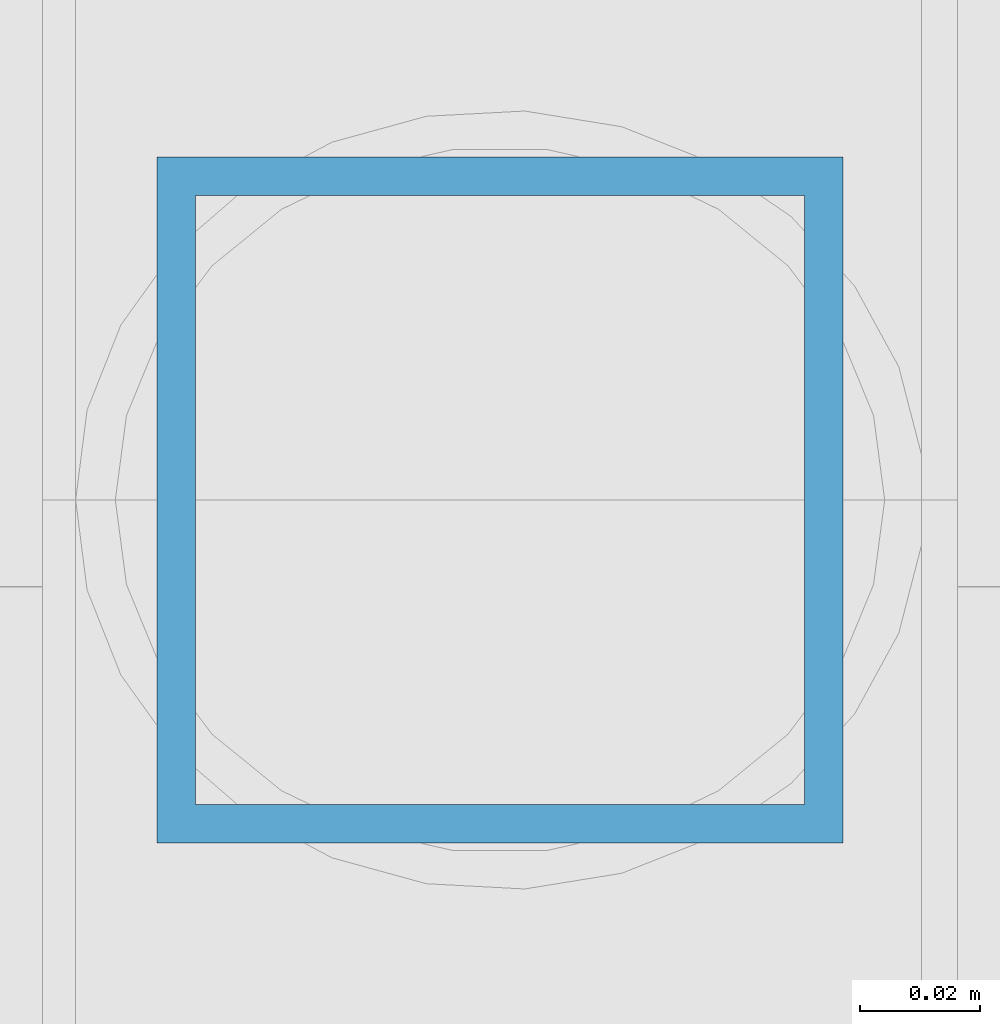
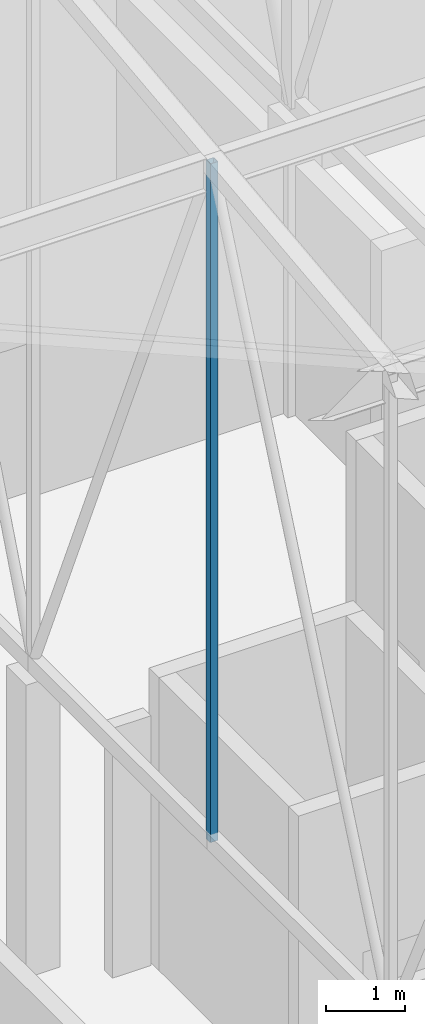
# One storey, part 26 of 500: 1 member.
"""IFC4 building model written with IfcOpenShell, lengths in metres."""

from ifc_helpers import new_model, si_unit, direction, frame, origin, origin_2d, place, context, subcontext, project, spatial, hollow_rectangle, extrude, material, material_profile, profile_set, type_object, element, save


model = new_model("IFC4")

# Units and contexts
model_context = context("Model", 3, precision=1e-05, world=origin(), true_north=direction((0.0, 1.0)))
body_context = subcontext(model_context, "Body", "Model", "MODEL_VIEW")
ifc_project = project(units=[si_unit("LENGTHUNIT", "METRE"), si_unit("AREAUNIT", "SQUARE_METRE"), si_unit("VOLUMEUNIT", "CUBIC_METRE"), si_unit("PLANEANGLEUNIT", "RADIAN"), si_unit("MASSUNIT", "GRAM", prefix="KILO")], contexts=[model_context])

# Site, building, storey
site_placement = place(None, origin())
site = spatial("IfcSite", under=ifc_project, at=site_placement, CompositionType="ELEMENT")
building_placement = place(site_placement, origin())
building = spatial("IfcBuilding", under=site, at=building_placement, Name="Shirokan Park Arena", CompositionType="ELEMENT")
storey_placement = place(building_placement, frame((0.0, 0.0, 29.1201171875)))
storey = spatial("IfcBuildingStorey", under=building, at=storey_placement, Name="L06", CompositionType="ELEMENT", Elevation=29.1201171875)

# Member
ifc_material = material(Name="Steel ASTM A500 Grade C", Category="steel")
ifc_material_profile = material_profile(ifc_material, hollow_rectangle(XDim=0.114013671875, YDim=0.114013671875, WallThickness=0.00634765625, at=origin_2d()), Name="HSS114.3X114.3X6.4")
ifc_profile_set = profile_set([ifc_material_profile], Name="Steel ASTM A500 Grade C")
member_type = type_object("IfcMemberType", Name="Truss post HSS114.3X114.3X6.4", PredefinedType="POST", material=ifc_profile_set)
member_placement = place(storey_placement, frame((18.199951171875, 22.75, 4.677001953125), z_axis=(0.0, 0.0, 1.0), x_axis=(1.0, 0.0, 0.0)))
element("IfcMember", 1, at=member_placement, inside=storey, type_object=member_type, Name="Truss T03 post 8", PredefinedType="POST", context=body_context, shape_type="SweptSolid", body=[
    extrude(hollow_rectangle(XDim=0.114013671875, YDim=0.114013671875, WallThickness=0.00634765625, at=origin_2d()), origin(), (0.0, 0.0, 1.0), 10.5458984375),
])

save(model, "model.ifc")
